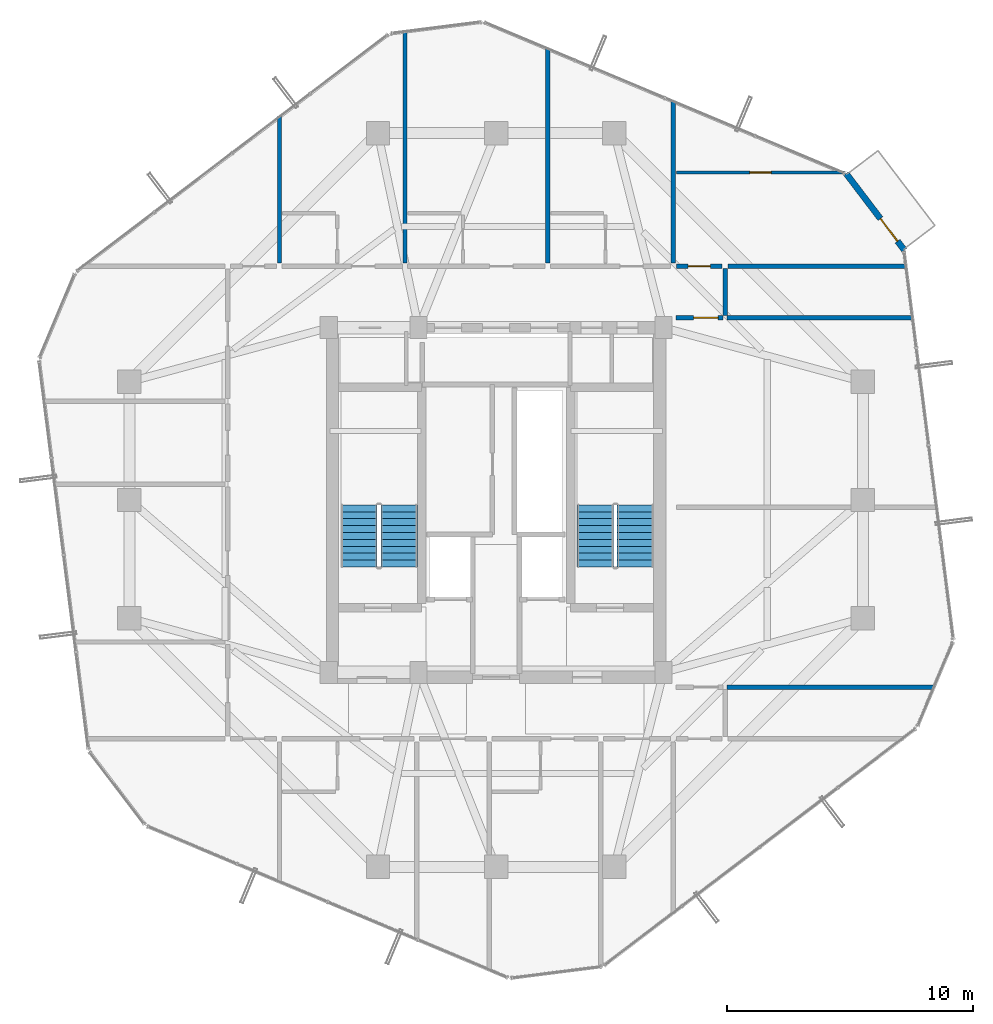
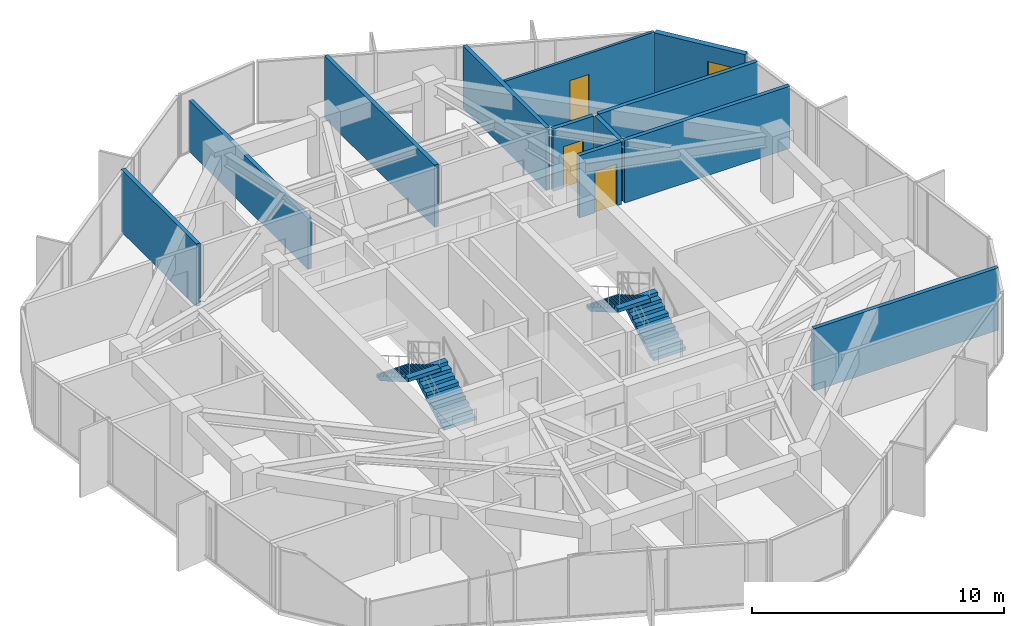
# One storey, part 30 of 32: 12 walls, 4 doors, 4 stair flights, 4 openings, 2 elements without a shape of their own.
"""IFC4 building model written with IfcOpenShell, lengths in metres."""

from ifc_helpers import new_model, si_unit, direction, frame, frame_2d, origin, place, context, subcontext, project, spatial, polyline, rectangle, outline, extrude, source, transform, mapped, material, layer, layer_set, type_object, element, fill, aggregate, save


model = new_model("IFC4")

# Units and contexts
model_context = context("Model", 3, precision=1e-05, world=origin(), true_north=direction((0.0, 1.0)))
body_context = subcontext(model_context, "Body", "Model", "MODEL_VIEW")
ifc_project = project(units=[si_unit("LENGTHUNIT", "METRE"), si_unit("AREAUNIT", "SQUARE_METRE"), si_unit("VOLUMEUNIT", "CUBIC_METRE"), si_unit("PLANEANGLEUNIT", "RADIAN"), si_unit("MASSUNIT", "GRAM", prefix="KILO")], contexts=[model_context])

# Site, building, storey
site_placement = place(None, origin())
site = spatial("IfcSite", under=ifc_project, at=site_placement, CompositionType="ELEMENT")
building_placement = place(site_placement, origin())
building = spatial("IfcBuilding", under=site, at=building_placement, Name="Veraguas Prism Commons", CompositionType="ELEMENT")
storey_placement = place(building_placement, frame((0.0, 0.0, 182.10009765625)))
storey = spatial("IfcBuildingStorey", under=building, at=storey_placement, Name="L51", CompositionType="ELEMENT", Elevation=182.10009765625)

# Walls
ifc_material_1 = material(Name="Autoclaved aerated masonry block 10 MPa", Category="masonry")
ifc_layer_1 = layer(ifc_material_1, 0.179931640625, Name="Corridor and Inter-Tenancy Partition 180", Category="masonry")
ifc_layer_set_1 = layer_set([ifc_layer_1], Name="Autoclaved aerated masonry block 10 MPa")
wall_type_1 = type_object("IfcWallType", Name="Corridor and Inter-Tenancy Partition 180", PredefinedType="PARTITIONING", material=ifc_layer_set_1)
wall_1_placement = place(storey_placement, frame((15.199951171875, 33.6201171875, 0.0), z_axis=(0.0, 0.0, 1.0), x_axis=(0.0, 1.0, 0.0)))
element("IfcWall", 1, at=wall_1_placement, inside=storey, type_object=wall_type_1, Name="WL-L51-PT014", PredefinedType="PARTITIONING", context=body_context, shape_type="SweptSolid", body=[
    extrude(rectangle(XDim=5.974365234375, YDim=0.179931640625, at=frame_2d((2.9873046875, 0.0))), origin(), (0.0, 0.0, 1.0), 3.014892578125),
])
wall_2_placement = place(storey_placement, frame((31.199951171875, 33.6201171875, 0.0), z_axis=(0.0, 0.0, 1.0), x_axis=(0.0, 1.0, 0.0)))
element("IfcWall", 2, at=wall_2_placement, inside=storey, type_object=wall_type_1, Name="WL-L51-PT015", PredefinedType="PARTITIONING", context=body_context, shape_type="SweptSolid", body=[
    extrude(rectangle(XDim=6.597412109375, YDim=0.179931640625, at=frame_2d((3.298828125, 0.0))), origin(), (0.0, 0.0, 1.0), 3.014892578125),
])
wall_3_placement = place(storey_placement, frame((20.300048828125, 33.6201171875, 0.0), z_axis=(0.0, 0.0, 1.0), x_axis=(0.0, 1.0, 0.0)))
element("IfcWall", 3, at=wall_3_placement, inside=storey, type_object=wall_type_1, Name="WL-L51-PT019", PredefinedType="PARTITIONING", context=body_context, shape_type="SweptSolid", body=[
    extrude(rectangle(XDim=9.438720703125, YDim=0.179931640625, at=frame_2d((4.71923828125, 0.0))), origin(), (0.0, 0.0, 1.0), 2.468994140625),
])
wall_4_placement = place(storey_placement, frame((26.10009765625, 33.6201171875, 0.0), z_axis=(0.0, 0.0, 1.0), x_axis=(0.0, 1.0, 0.0)))
element("IfcWall", 4, at=wall_4_placement, inside=storey, type_object=wall_type_1, Name="WL-L51-PT023", PredefinedType="PARTITIONING", context=body_context, shape_type="SweptSolid", body=[
    extrude(rectangle(XDim=8.737060546875, YDim=0.179931640625, at=frame_2d((4.36865234375, 0.0))), origin(), (0.0, 0.0, 1.0), 3.014892578125),
])
wall_5_placement = place(storey_placement, frame((33.300048828125, 31.5, 0.0), z_axis=(0.0, 0.0, 1.0), x_axis=(0.0, 1.0, 0.0)))
element("IfcWall", 5, at=wall_5_placement, inside=storey, type_object=wall_type_1, Name="WL-L51-PT038", PredefinedType="PARTITIONING", context=body_context, shape_type="SweptSolid", body=[
    extrude(rectangle(XDim=1.89990234375, YDim=0.179931640625, at=frame_2d((0.949951171875, 0.0))), origin(), (0.0, 0.0, 1.0), 3.014892578125),
])
wall_6_placement = place(storey_placement, frame((33.3798828125, 16.39990234375, 0.0), z_axis=(0.0, 0.0, 1.0), x_axis=(1.0, 0.0, 0.0)))
element("IfcWall", 6, at=wall_6_placement, inside=storey, type_object=wall_type_1, Name="WL-L51-PT040", PredefinedType="PARTITIONING", context=body_context, shape_type="SweptSolid", body=[
    extrude(rectangle(XDim=8.440673828125, YDim=0.179931640625, at=frame_2d((4.22021484375, 0.0))), origin(), (0.0, 0.0, 1.0), 3.014892578125),
])

# Wall, opening, door
wall_7_placement = place(storey_placement, frame((31.300048828125, 31.39990234375, 0.0), z_axis=(0.0, 0.0, 1.0), x_axis=(1.0, 0.0, 0.0)))
wall_7 = element("IfcWall", 7, at=wall_7_placement, inside=storey, type_object=wall_type_1, Name="WL-L51-PT041", PredefinedType="PARTITIONING", context=body_context, shape_type="SweptSolid", body=[
    extrude(rectangle(XDim=1.919921875, YDim=0.179931640625, at=frame_2d((0.9599609375, 0.0))), origin(), (0.0, 0.0, 1.0), 3.014892578125),
])
opening_1_placement = place(wall_7_placement, frame((0.719970703125, 0.0, 0.0)))
opening_1 = element("IfcOpeningElement", 8, at=opening_1_placement, cuts=wall_7, Name="Opening DR-13", PredefinedType="OPENING", context=body_context, shape_type="SweptSolid", body=[
    extrude(rectangle(XDim=1.0, YDim=2.010009765625, at=frame_2d((0.5, 1.0048828125))), frame((0.0, 0.099853515625, 0.0), z_axis=(0.0, -1.0, 0.0), x_axis=(1.0, 0.0, 0.0)), (0.0, 0.0, 1.0), 0.199951171875),
])
ifc_material_2 = material(Name="Steel fire-rated door assembly", Category="steel")
door_type_1 = type_object("IfcDoorType", Name="Core Accessible WC and Clinic Fire Door 1000x2010", OperationType="NOTDEFINED", PredefinedType="DOOR", material=ifc_material_2)
shared_shape_1 = source(origin(), body_context, "Body", "SweptSolid", [
    extrude(rectangle(XDim=1.0, YDim=2.010009765625, at=frame_2d((0.5, 1.0048828125))), frame((0.0, 0.02490234375, 0.0), z_axis=(0.0, -1.0, 0.0), x_axis=(1.0, 0.0, 0.0)), (0.0, 0.0, 1.0), 0.050048828125),
])
door_1_placement = place(opening_1_placement, origin())
door_1 = element("IfcDoor", 9, at=door_1_placement, inside=storey, type_object=door_type_1, Name="Study Salon Door L51", OperationType="SINGLE_SWING_LEFT", OverallHeight=2.010009765625, OverallWidth=1.0, PredefinedType="DOOR", context=body_context, shape_type="MappedRepresentation", body=[
    mapped(shared_shape_1, transform((0.0, 0.0, 0.0), scale=1.0)),
])
fill(opening_1, door_1)

# Walls
wall_8_placement = place(storey_placement, frame((33.3798828125, 31.39990234375, 0.0), z_axis=(0.0, 0.0, 1.0), x_axis=(1.0, 0.0, 0.0)))
element("IfcWall", 10, at=wall_8_placement, inside=storey, type_object=wall_type_1, Name="WL-L51-PT042", PredefinedType="PARTITIONING", context=body_context, shape_type="SweptSolid", body=[
    extrude(rectangle(XDim=7.562744140625, YDim=0.179931640625, at=frame_2d((3.78125, 0.0))), origin(), (0.0, 0.0, 1.0), 3.014892578125),
])
wall_9_placement = place(storey_placement, frame((33.419921875, 33.5, 0.0), z_axis=(0.0, 0.0, 1.0), x_axis=(1.0, 0.0, 0.0)))
element("IfcWall", 11, at=wall_9_placement, inside=storey, type_object=wall_type_1, Name="WL-L51-PT047", PredefinedType="PARTITIONING", context=body_context, shape_type="SweptSolid", body=[
    extrude(rectangle(XDim=7.255859375, YDim=0.179931640625, at=frame_2d((3.6279296875, 0.0))), origin(), (0.0, 0.0, 1.0), 3.014892578125),
])

# Wall, opening, door
wall_10_placement = place(storey_placement, frame((31.320068359375, 33.5, 0.0), z_axis=(0.0, 0.0, 1.0), x_axis=(1.0, 0.0, 0.0)))
wall_10 = element("IfcWall", 12, at=wall_10_placement, inside=storey, type_object=wall_type_1, Name="WL-L51-PT048", PredefinedType="PARTITIONING", context=body_context, shape_type="SweptSolid", body=[
    extrude(rectangle(XDim=1.85986328125, YDim=0.179931640625, at=frame_2d((0.929931640625, 0.0))), origin(), (0.0, 0.0, 1.0), 3.014892578125),
])
opening_2_placement = place(wall_10_placement, frame((0.47998046875, 0.0, 0.0)))
opening_2 = element("IfcOpeningElement", 13, at=opening_2_placement, cuts=wall_10, Name="Opening DR-14", PredefinedType="OPENING", context=body_context, shape_type="SweptSolid", body=[
    extrude(rectangle(XDim=0.89990234375, YDim=2.010009765625, at=frame_2d((0.449951171875, 1.0048828125))), frame((0.0, 0.099853515625, 0.0), z_axis=(0.0, -1.0, 0.0), x_axis=(1.0, 0.0, 0.0)), (0.0, 0.0, 1.0), 0.199951171875),
])
door_type_2 = type_object("IfcDoorType", Name="Core Service Room Fire Door 900x2010", OperationType="NOTDEFINED", PredefinedType="DOOR", material=ifc_material_2)
shared_shape_2 = source(origin(), body_context, "Body", "SweptSolid", [
    extrude(rectangle(XDim=0.89990234375, YDim=2.010009765625, at=frame_2d((0.449951171875, 1.0048828125))), frame((0.0, 0.02490234375, 0.0), z_axis=(0.0, -1.0, 0.0), x_axis=(1.0, 0.0, 0.0)), (0.0, 0.0, 1.0), 0.050048828125),
])
door_2_placement = place(opening_2_placement, origin())
door_2 = element("IfcDoor", 14, at=door_2_placement, inside=storey, type_object=door_type_2, Name="Shared Laundry Room Door", OperationType="SINGLE_SWING_LEFT", OverallHeight=2.010009765625, OverallWidth=0.89990234375, PredefinedType="DOOR", context=body_context, shape_type="MappedRepresentation", body=[
    mapped(shared_shape_2, transform((0.0, 0.0, 0.0), scale=1.0)),
])
fill(opening_2, door_2)

ifc_material_3 = material(Name="Precast concrete C40/50", Category="concrete")
ifc_layer_2 = layer(ifc_material_3, 0.25, Name="External Loggia and Portal Wall 250", Category="concrete")
ifc_layer_set_2 = layer_set([ifc_layer_2], Name="Precast concrete C40/50")
wall_type_2 = type_object("IfcWallType", Name="External Loggia and Portal Wall 250", PredefinedType="SOLIDWALL", material=ifc_layer_set_2)
wall_11_placement = place(storey_placement, frame((40.58349609375, 34.1474609375, 0.0), z_axis=(0.0, 0.0, 1.0), x_axis=(-0.605137035465, 0.796121327631, 0.0)))
wall_11 = element("IfcWall", 15, at=wall_11_placement, inside=storey, type_object=wall_type_2, Name="Corner Loggia Wall L51-C1", PredefinedType="SOLIDWALL", context=body_context, shape_type="SweptSolid", body=[
    extrude(rectangle(XDim=3.914306640625, YDim=0.25, at=frame_2d((1.95703125, 0.0))), origin(), (0.0, 0.0, 1.0), 3.014892578125),
])
opening_3_placement = place(wall_11_placement, frame((0.4599609375, 0.0, 0.0)))
opening_3 = element("IfcOpeningElement", 16, at=opening_3_placement, cuts=wall_11, Name="Opening DR-10", PredefinedType="OPENING", context=body_context, shape_type="SweptSolid", body=[
    extrude(rectangle(XDim=1.14990234375, YDim=2.25, at=frame_2d((0.574951171875, 1.125))), frame((0.0, 0.135009765625, 0.0), z_axis=(0.0, -1.0, 0.0), x_axis=(1.0, 0.0, 0.0)), (0.0, 0.0, 1.0), 0.27001953125),
])
ifc_material_4 = material(Name="Anodised aluminium EN AW-6063 T6", Category="aluminium")
door_type_3 = type_object("IfcDoorType", Name="Glazed Loggia and Terrace Door 1150x2250", OperationType="NOTDEFINED", PredefinedType="DOOR", material=ifc_material_4)
shared_shape_3 = source(origin(), body_context, "Body", "SweptSolid", [
    extrude(rectangle(XDim=1.14990234375, YDim=2.25, at=frame_2d((0.574951171875, 1.125))), frame((0.0, 0.02490234375, 0.0), z_axis=(0.0, -1.0, 0.0), x_axis=(1.0, 0.0, 0.0)), (0.0, 0.0, 1.0), 0.050048828125),
])
door_3_placement = place(opening_3_placement, frame((1.14990234375, 0.0, 0.0), z_axis=(0.0, 0.0, 1.0), x_axis=(-1.0, 0.0, 0.0)))
door_3 = element("IfcDoor", 17, at=door_3_placement, inside=storey, type_object=door_type_3, Name="Recessed Loggia Door L51-C1", OperationType="SINGLE_SWING_LEFT", OverallHeight=2.25, OverallWidth=1.14990234375, PredefinedType="DOOR", context=body_context, shape_type="MappedRepresentation", body=[
    mapped(shared_shape_3, transform((0.0, 0.0, 0.0), scale=1.0)),
])
fill(opening_3, door_3)

ifc_material_5 = material(Name="Lightweight acoustic gypsum board")
ifc_layer_3 = layer(ifc_material_5, 0.125, Name="Internal Apartment Room Partition 125")
ifc_layer_set_3 = layer_set([ifc_layer_3], Name="Lightweight acoustic gypsum board")
wall_type_3 = type_object("IfcWallType", Name="Internal Apartment Room Partition 125", PredefinedType="PARTITIONING", material=ifc_layer_set_3)
wall_12_placement = place(storey_placement, frame((31.320068359375, 37.300048828125, 0.0), z_axis=(0.0, 0.0, 1.0), x_axis=(1.0, 0.0, 0.0)))
wall_12 = element("IfcWall", 18, at=wall_12_placement, inside=storey, type_object=wall_type_3, Name="WL-L51-PT049", PredefinedType="PARTITIONING", context=body_context, shape_type="SweptSolid", body=[
    extrude(rectangle(XDim=6.834228515625, YDim=0.125, at=frame_2d((3.4169921875, 0.0))), origin(), (0.0, 0.0, 1.0), 3.014892578125),
])
opening_4_placement = place(wall_12_placement, frame((2.987060546875, 0.0, 0.0)))
opening_4 = element("IfcOpeningElement", 19, at=opening_4_placement, cuts=wall_12, Name="Opening DR-03", PredefinedType="OPENING", context=body_context, shape_type="SweptSolid", body=[
    extrude(rectangle(XDim=0.860107421875, YDim=2.010009765625, at=frame_2d((0.43017578125, 1.0048828125))), frame((0.0, 0.072509765625, 0.0), z_axis=(0.0, -1.0, 0.0), x_axis=(1.0, 0.0, 0.0)), (0.0, 0.0, 1.0), 0.14501953125),
])
ifc_material_6 = material(Name="Timber moisture-resistant leaf", Category="wood")
door_type_4 = type_object("IfcDoorType", Name="Internal Bathroom Door 860x2010", OperationType="NOTDEFINED", PredefinedType="DOOR", material=ifc_material_6)
shared_shape_4 = source(origin(), body_context, "Body", "SweptSolid", [
    extrude(rectangle(XDim=0.860107421875, YDim=2.010009765625, at=frame_2d((0.43017578125, 1.0048828125))), frame((0.0, 0.02490234375, 0.0), z_axis=(0.0, -1.0, 0.0), x_axis=(1.0, 0.0, 0.0)), (0.0, 0.0, 1.0), 0.050048828125),
])
door_4_placement = place(opening_4_placement, origin())
door_4 = element("IfcDoor", 20, at=door_4_placement, inside=storey, type_object=door_type_4, Name="Corner Store NE Door", OperationType="SINGLE_SWING_RIGHT", OverallHeight=2.010009765625, OverallWidth=0.860107421875, PredefinedType="DOOR", context=body_context, shape_type="MappedRepresentation", body=[
    mapped(shared_shape_4, transform((0.0, 0.0, 0.0), scale=1.0)),
])
fill(opening_4, door_4)

# Stair, stair flights
ifc_material_7 = material(Name="Precast concrete C45/55", Category="concrete")
stair_type = type_object("IfcStairType", Name="Dogleg Core Stair 1480W 20R 05", PredefinedType="HALF_TURN_STAIR", material=ifc_material_7)
stair_1_placement = place(storey_placement, origin())
stair_1 = element("IfcStair", 21, at=stair_1_placement, inside=storey, type_object=stair_type, Name="Protected Exit Stair ST-01 L51", PredefinedType="HALF_TURN_STAIR")
stair_flight_type = type_object("IfcStairFlightType", Name="Precast Stair Flight 1480W 10R 05", PredefinedType="STRAIGHT", material=ifc_material_7)
stair_flight_1_placement = place(storey_placement, frame((20.06005859375, 21.280029296875, 0.0), z_axis=(0.0, 0.0, 1.0), x_axis=(0.0, 1.0, 0.0)))
stair_flight_1 = element("IfcStairFlight", 22, at=stair_flight_1_placement, type_object=stair_flight_type, Name="ST-05 Flight 1", NumberOfRisers=10, NumberOfTreads=9, PredefinedType="STRAIGHT", RiserHeight=0.1625, TreadLength=0.28, context=body_context, shape_type="SweptSolid", body=[
    extrude(outline(polyline([(0.0, 0.0), (0.0, 0.16259765625), (0.280029296875, 0.16259765625), (0.280029296875, 0.324951171875), (0.56005859375, 0.324951171875), (0.56005859375, 0.487548828125), (0.840087890625, 0.487548828125), (0.840087890625, 0.64990234375), (1.1201171875, 0.64990234375), (1.1201171875, 0.8125), (1.39990234375, 0.8125), (1.39990234375, 0.97509765625), (1.679931640625, 0.97509765625), (1.679931640625, 1.137451171875), (1.9599609375, 1.137451171875), (1.9599609375, 1.300048828125), (2.239990234375, 1.300048828125), (2.239990234375, 1.46240234375), (2.52001953125, 1.46240234375), (2.52001953125, 1.625), (2.52001953125, 1.2890625), (0.298583984375, 0.0), (0.0, 0.0)])), frame((0.0, 0.739990234375, 0.0), z_axis=(0.0, -1.0, 0.0), x_axis=(1.0, 0.0, 0.0)), (0.0, 0.0, 1.0), 1.47998046875),
])
stair_flight_2_placement = place(storey_placement, frame((18.429931640625, 23.800048828125, 1.625), z_axis=(0.0, 0.0, 1.0), x_axis=(0.0, -1.0, 0.0)))
stair_flight_2 = element("IfcStairFlight", 23, at=stair_flight_2_placement, type_object=stair_flight_type, Name="ST-05 Flight 2", NumberOfRisers=10, NumberOfTreads=9, PredefinedType="STRAIGHT", RiserHeight=0.1625, TreadLength=0.28, context=body_context, shape_type="SweptSolid", body=[
    extrude(outline(polyline([(0.0, 0.0), (0.0, 0.16259765625), (0.280029296875, 0.16259765625), (0.280029296875, 0.324951171875), (0.56005859375, 0.324951171875), (0.56005859375, 0.487548828125), (0.840087890625, 0.487548828125), (0.840087890625, 0.64990234375), (1.1201171875, 0.64990234375), (1.1201171875, 0.8125), (1.39990234375, 0.8125), (1.39990234375, 0.97509765625), (1.679931640625, 0.97509765625), (1.679931640625, 1.137451171875), (1.9599609375, 1.137451171875), (1.9599609375, 1.300048828125), (2.239990234375, 1.300048828125), (2.239990234375, 1.46240234375), (2.52001953125, 1.46240234375), (2.52001953125, 1.625), (2.52001953125, 1.2890625), (0.298583984375, 0.0), (0.0, 0.0)])), frame((0.0, 0.739990234375, 0.0), z_axis=(0.0, -1.0, 0.0), x_axis=(1.0, 0.0, 0.0)), (0.0, 0.0, 1.0), 1.47998046875),
])
aggregate(stair_1, [stair_flight_1, stair_flight_2])

stair_2_placement = place(storey_placement, origin())
stair_2 = element("IfcStair", 24, at=stair_2_placement, inside=storey, type_object=stair_type, Name="Protected Exit Stair ST-02 L51", PredefinedType="HALF_TURN_STAIR")
stair_flight_3_placement = place(storey_placement, frame((29.659912109375, 21.280029296875, 0.0), z_axis=(0.0, 0.0, 1.0), x_axis=(0.0, 1.0, 0.0)))
stair_flight_3 = element("IfcStairFlight", 25, at=stair_flight_3_placement, type_object=stair_flight_type, Name="ST-05 Flight 1", NumberOfRisers=10, NumberOfTreads=9, PredefinedType="STRAIGHT", RiserHeight=0.1625, TreadLength=0.28, context=body_context, shape_type="SweptSolid", body=[
    extrude(outline(polyline([(0.0, 0.0), (0.0, 0.16259765625), (0.280029296875, 0.16259765625), (0.280029296875, 0.324951171875), (0.56005859375, 0.324951171875), (0.56005859375, 0.487548828125), (0.840087890625, 0.487548828125), (0.840087890625, 0.64990234375), (1.1201171875, 0.64990234375), (1.1201171875, 0.8125), (1.39990234375, 0.8125), (1.39990234375, 0.97509765625), (1.679931640625, 0.97509765625), (1.679931640625, 1.137451171875), (1.9599609375, 1.137451171875), (1.9599609375, 1.300048828125), (2.239990234375, 1.300048828125), (2.239990234375, 1.46240234375), (2.52001953125, 1.46240234375), (2.52001953125, 1.625), (2.52001953125, 1.2890625), (0.298583984375, 0.0), (0.0, 0.0)])), frame((0.0, 0.739990234375, 0.0), z_axis=(0.0, -1.0, 0.0), x_axis=(1.0, 0.0, 0.0)), (0.0, 0.0, 1.0), 1.47998046875),
])
stair_flight_4_placement = place(storey_placement, frame((28.030029296875, 23.800048828125, 1.625), z_axis=(0.0, 0.0, 1.0), x_axis=(0.0, -1.0, 0.0)))
stair_flight_4 = element("IfcStairFlight", 26, at=stair_flight_4_placement, type_object=stair_flight_type, Name="ST-05 Flight 2", NumberOfRisers=10, NumberOfTreads=9, PredefinedType="STRAIGHT", RiserHeight=0.1625, TreadLength=0.28, context=body_context, shape_type="SweptSolid", body=[
    extrude(outline(polyline([(0.0, 0.0), (0.0, 0.16259765625), (0.280029296875, 0.16259765625), (0.280029296875, 0.324951171875), (0.56005859375, 0.324951171875), (0.56005859375, 0.487548828125), (0.840087890625, 0.487548828125), (0.840087890625, 0.64990234375), (1.1201171875, 0.64990234375), (1.1201171875, 0.8125), (1.39990234375, 0.8125), (1.39990234375, 0.97509765625), (1.679931640625, 0.97509765625), (1.679931640625, 1.137451171875), (1.9599609375, 1.137451171875), (1.9599609375, 1.300048828125), (2.239990234375, 1.300048828125), (2.239990234375, 1.46240234375), (2.52001953125, 1.46240234375), (2.52001953125, 1.625), (2.52001953125, 1.2890625), (0.298583984375, 0.0), (0.0, 0.0)])), frame((0.0, 0.739990234375, 0.0), z_axis=(0.0, -1.0, 0.0), x_axis=(1.0, 0.0, 0.0)), (0.0, 0.0, 1.0), 1.47998046875),
])
aggregate(stair_2, [stair_flight_3, stair_flight_4])

save(model, "model.ifc")
